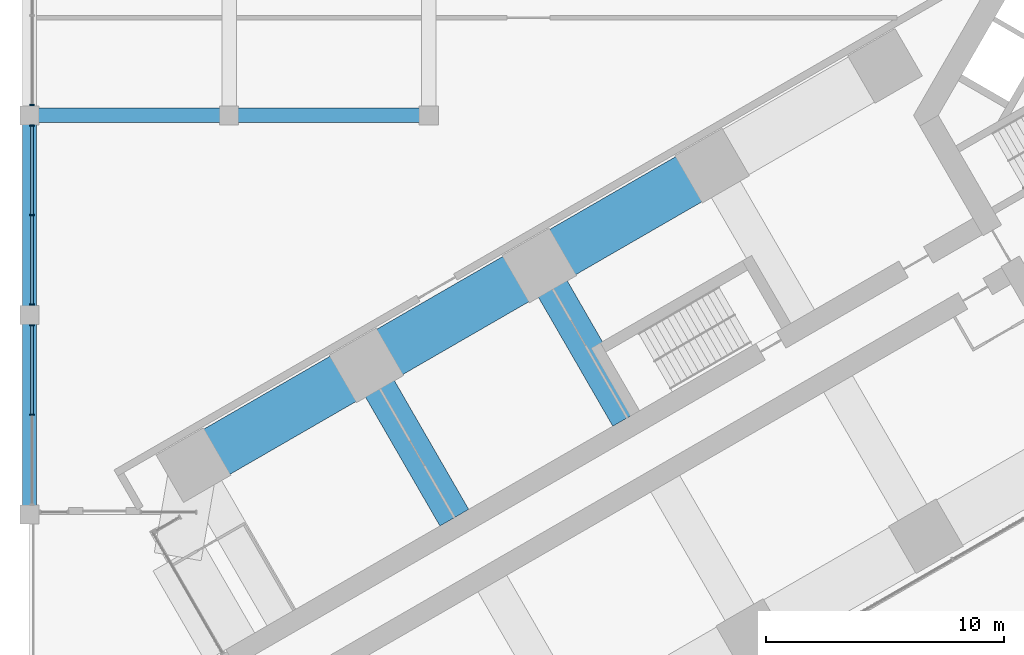
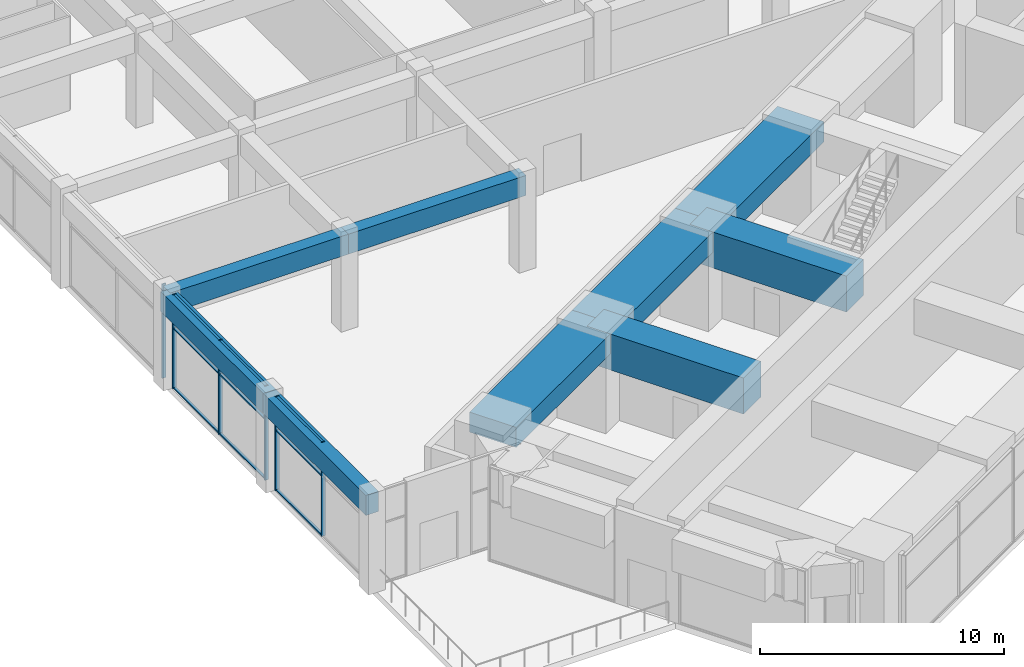
# One storey, part 3 of 34: 15 members, 9 beams, 3 elements without a shape of their own.
"""IFC4 building model written with IfcOpenShell, lengths in metres."""

from ifc_helpers import new_model, si_unit, direction, frame, origin, origin_2d, place, context, subcontext, project, spatial, rectangle, extrude, material, material_profile, profile_set, type_object, element, aggregate, save


model = new_model("IFC4")

# Units and contexts
model_context = context("Model", 3, precision=1e-05, world=origin(), true_north=direction((0.0, 1.0)))
body_context = subcontext(model_context, "Body", "Model", "MODEL_VIEW")
ifc_project = project(units=[si_unit("LENGTHUNIT", "METRE"), si_unit("AREAUNIT", "SQUARE_METRE"), si_unit("VOLUMEUNIT", "CUBIC_METRE"), si_unit("PLANEANGLEUNIT", "RADIAN"), si_unit("MASSUNIT", "GRAM", prefix="KILO")], contexts=[model_context])

# Site, building, storey
site_placement = place(None, origin())
site = spatial("IfcSite", under=ifc_project, at=site_placement, CompositionType="ELEMENT")
building_placement = place(site_placement, origin())
building = spatial("IfcBuilding", under=site, at=building_placement, Name="Impinga Residences", CompositionType="ELEMENT")
storey_placement = place(building_placement, frame((0.0, 0.0, 16.0)))
storey = spatial("IfcBuildingStorey", under=building, at=storey_placement, Name="L03", CompositionType="ELEMENT", Elevation=16.0)

# Beams
ifc_material_1 = material(Name="Concrete C60/75", Category="concrete")
ifc_material_profile_1 = material_profile(ifc_material_1, rectangle(XDim=1.39990234375, YDim=1.800048828125, at=origin_2d()), Name="RC 1400x1800")
ifc_profile_set_1 = profile_set([ifc_material_profile_1], Name="Concrete C60/75")
beam_type_1 = type_object("IfcBeamType", Name="CG4 1400x1800 cross girder on a wing bay line under the podium floors", PredefinedType="BEAM", material=ifc_profile_set_1)
for number, where, z_axis, x_axis, name in (
    (1, (-25.249267578125, -12.730224609375, 3.800048828125), (-0.499988999718, 0.866031754707, 0.0), (-0.866031754707, -0.499988999718, 0.0), "Beam CG4 W3 WC/WF level L04"),
    (2, (-32.52392578125, -16.93017578125, 3.800048828125), (-0.499988999718, 0.866031754707, 0.0), (-0.866031754707, -0.499988999718, 0.0), "Beam CG4 W4 WC/WF level L04"),
):
    element("IfcBeam", number, at=place(storey_placement, frame(where, z_axis=z_axis, x_axis=x_axis)), inside=storey, type_object=beam_type_1, Name=name, PredefinedType="BEAM", context=body_context, shape_type="SweptSolid", body=[
        extrude(rectangle(XDim=1.39990234375, YDim=1.800048828125, at=origin_2d()), origin(), (0.0, 0.0, 1.0), 7.400146484375),
    ])

# Curtain wall, members
ifc_material_2 = material(Name="Aluminium stick curtain wall", Category="aluminium")
curtain_wall_type = type_object("IfcCurtainWallType", Name="CW1 podium amenity curtain wall", PredefinedType="USERDEFINED", material=ifc_material_2)
curtain_wall_1_placement = place(storey_placement, origin())
curtain_wall_1 = element("IfcCurtainWall", 3, at=curtain_wall_1_placement, inside=storey, type_object=curtain_wall_type, Name="Curtain wall CW1 L03", ObjectType="STICK CURTAIN WALL", PredefinedType="USERDEFINED")
ifc_material_3 = material(Name="Aluminium mullion", Category="aluminium")
ifc_material_profile_2 = material_profile(ifc_material_3, rectangle(XDim=0.06005859375, YDim=0.179931640625, at=origin_2d()), Name="60x180 mullion")
ifc_profile_set_2 = profile_set([ifc_material_profile_2], Name="Aluminium mullion")
member_type_1 = type_object("IfcMemberType", Name="CW1-M mullion 60x180", PredefinedType="MULLION", material=ifc_profile_set_2)
member_1_placement = place(storey_placement, frame((-50.300048828125, -12.60009765625, 0.0), z_axis=(0.0, 0.0, 1.0), x_axis=(0.0, 1.0, 0.0)))
member_1 = element("IfcMember", 4, at=member_1_placement, type_object=member_type_1, Name="CW1 mullion 2", PredefinedType="MULLION", context=body_context, shape_type="SweptSolid", body=[
    extrude(rectangle(XDim=0.06005859375, YDim=0.179931640625, at=origin_2d()), origin(), (0.0, 0.0, 1.0), 4.699951171875),
])
member_2_placement = place(storey_placement, frame((-50.300048828125, -8.8330078125, 0.0), z_axis=(0.0, 0.0, 1.0), x_axis=(0.0, 1.0, 0.0)))
member_2 = element("IfcMember", 5, at=member_2_placement, type_object=member_type_1, Name="CW1 mullion 3", PredefinedType="MULLION", context=body_context, shape_type="SweptSolid", body=[
    extrude(rectangle(XDim=0.06005859375, YDim=0.179931640625, at=origin_2d()), origin(), (0.0, 0.0, 1.0), 4.699951171875),
])

curtain_wall_2_placement = place(storey_placement, origin())
curtain_wall_2 = element("IfcCurtainWall", 6, at=curtain_wall_2_placement, inside=storey, type_object=curtain_wall_type, Name="Curtain wall CW1 L03", ObjectType="STICK CURTAIN WALL", PredefinedType="USERDEFINED")
member_3_placement = place(storey_placement, frame((-50.300048828125, -7.967041015625, 0.0), z_axis=(0.0, 0.0, 1.0), x_axis=(0.0, 1.0, 0.0)))
member_3 = element("IfcMember", 7, at=member_3_placement, type_object=member_type_1, Name="CW1 mullion 1", PredefinedType="MULLION", context=body_context, shape_type="SweptSolid", body=[
    extrude(rectangle(XDim=0.06005859375, YDim=0.179931640625, at=origin_2d()), origin(), (0.0, 0.0, 1.0), 4.699951171875),
])
member_4_placement = place(storey_placement, frame((-50.300048828125, -4.199951171875, 0.0), z_axis=(0.0, 0.0, 1.0), x_axis=(0.0, 1.0, 0.0)))
member_4 = element("IfcMember", 8, at=member_4_placement, type_object=member_type_1, Name="CW1 mullion 2", PredefinedType="MULLION", context=body_context, shape_type="SweptSolid", body=[
    extrude(rectangle(XDim=0.06005859375, YDim=0.179931640625, at=origin_2d()), origin(), (0.0, 0.0, 1.0), 4.699951171875),
])
member_5_placement = place(storey_placement, frame((-50.300048828125, -0.43310546875, 0.0), z_axis=(0.0, 0.0, 1.0), x_axis=(0.0, 1.0, 0.0)))
member_5 = element("IfcMember", 9, at=member_5_placement, type_object=member_type_1, Name="CW1 mullion 3", PredefinedType="MULLION", context=body_context, shape_type="SweptSolid", body=[
    extrude(rectangle(XDim=0.06005859375, YDim=0.179931640625, at=origin_2d()), origin(), (0.0, 0.0, 1.0), 4.699951171875),
])

# Curtain wall, member
curtain_wall_3_placement = place(storey_placement, origin())
curtain_wall_3 = element("IfcCurtainWall", 10, at=curtain_wall_3_placement, inside=storey, type_object=curtain_wall_type, Name="Curtain wall CW1 L03", ObjectType="STICK CURTAIN WALL", PredefinedType="USERDEFINED")
member_6_placement = place(storey_placement, frame((-50.300048828125, 0.43310546875, 0.0), z_axis=(0.0, 0.0, 1.0), x_axis=(0.0, 1.0, 0.0)))
member_6 = element("IfcMember", 11, at=member_6_placement, type_object=member_type_1, Name="CW1 mullion 1", PredefinedType="MULLION", context=body_context, shape_type="SweptSolid", body=[
    extrude(rectangle(XDim=0.06005859375, YDim=0.179931640625, at=origin_2d()), origin(), (0.0, 0.0, 1.0), 4.699951171875),
])
aggregate(curtain_wall_3, [member_6])

# Member
ifc_material_4 = material(Name="Aluminium transom", Category="aluminium")
ifc_material_profile_3 = material_profile(ifc_material_4, rectangle(XDim=0.06005859375, YDim=0.1201171875, at=origin_2d()), Name="60x120 transom")
ifc_profile_set_3 = profile_set([ifc_material_profile_3], Name="Aluminium transom")
member_type_2 = type_object("IfcMemberType", Name="CW1-T transom 60x120", PredefinedType="USERDEFINED", material=ifc_profile_set_3)
member_7_placement = place(storey_placement, frame((-50.300048828125, -12.570068359375, 0.030029296875), z_axis=(0.0, 1.0, 0.0), x_axis=(0.0, 0.0, 1.0)))
member_7 = element("IfcMember", 12, at=member_7_placement, type_object=member_type_2, Name="CW1 transom 2.1", ObjectType="TRANSOM", PredefinedType="USERDEFINED", context=body_context, shape_type="SweptSolid", body=[
    extrude(rectangle(XDim=0.06005859375, YDim=0.1201171875, at=origin_2d()), origin(), (0.0, 0.0, 1.0), 3.70703125),
])

member_8_placement = place(storey_placement, frame((-50.300048828125, -12.570068359375, 3.0), z_axis=(0.0, 1.0, 0.0), x_axis=(0.0, 0.0, 1.0)))
member_8 = element("IfcMember", 13, at=member_8_placement, type_object=member_type_2, Name="CW1 transom 2.2", ObjectType="TRANSOM", PredefinedType="USERDEFINED", context=body_context, shape_type="SweptSolid", body=[
    extrude(rectangle(XDim=0.06005859375, YDim=0.1201171875, at=origin_2d()), origin(), (0.0, 0.0, 1.0), 3.70703125),
])

member_9_placement = place(storey_placement, frame((-50.300048828125, -12.570068359375, 4.669921875), z_axis=(0.0, 1.0, 0.0), x_axis=(0.0, 0.0, 1.0)))
member_9 = element("IfcMember", 14, at=member_9_placement, type_object=member_type_2, Name="CW1 transom 2.3", ObjectType="TRANSOM", PredefinedType="USERDEFINED", context=body_context, shape_type="SweptSolid", body=[
    extrude(rectangle(XDim=0.06005859375, YDim=0.1201171875, at=origin_2d()), origin(), (0.0, 0.0, 1.0), 3.70703125),
])

aggregate(curtain_wall_1, [member_1, member_2, member_7, member_8, member_9])

member_10_placement = place(storey_placement, frame((-50.300048828125, -7.93701171875, 0.030029296875), z_axis=(0.0, 1.0, 0.0), x_axis=(0.0, 0.0, 1.0)))
member_10 = element("IfcMember", 15, at=member_10_placement, type_object=member_type_2, Name="CW1 transom 1.1", ObjectType="TRANSOM", PredefinedType="USERDEFINED", context=body_context, shape_type="SweptSolid", body=[
    extrude(rectangle(XDim=0.06005859375, YDim=0.1201171875, at=origin_2d()), origin(), (0.0, 0.0, 1.0), 3.70703125),
])

member_11_placement = place(storey_placement, frame((-50.300048828125, -7.93701171875, 3.0), z_axis=(0.0, 1.0, 0.0), x_axis=(0.0, 0.0, 1.0)))
member_11 = element("IfcMember", 16, at=member_11_placement, type_object=member_type_2, Name="CW1 transom 1.2", ObjectType="TRANSOM", PredefinedType="USERDEFINED", context=body_context, shape_type="SweptSolid", body=[
    extrude(rectangle(XDim=0.06005859375, YDim=0.1201171875, at=origin_2d()), origin(), (0.0, 0.0, 1.0), 3.70703125),
])

member_12_placement = place(storey_placement, frame((-50.300048828125, -7.93701171875, 4.669921875), z_axis=(0.0, 1.0, 0.0), x_axis=(0.0, 0.0, 1.0)))
member_12 = element("IfcMember", 17, at=member_12_placement, type_object=member_type_2, Name="CW1 transom 1.3", ObjectType="TRANSOM", PredefinedType="USERDEFINED", context=body_context, shape_type="SweptSolid", body=[
    extrude(rectangle(XDim=0.06005859375, YDim=0.1201171875, at=origin_2d()), origin(), (0.0, 0.0, 1.0), 3.70703125),
])

member_13_placement = place(storey_placement, frame((-50.300048828125, -4.169921875, 0.030029296875), z_axis=(0.0, 1.0, 0.0), x_axis=(0.0, 0.0, 1.0)))
member_13 = element("IfcMember", 18, at=member_13_placement, type_object=member_type_2, Name="CW1 transom 2.1", ObjectType="TRANSOM", PredefinedType="USERDEFINED", context=body_context, shape_type="SweptSolid", body=[
    extrude(rectangle(XDim=0.06005859375, YDim=0.1201171875, at=origin_2d()), origin(), (0.0, 0.0, 1.0), 3.70703125),
])

member_14_placement = place(storey_placement, frame((-50.300048828125, -4.169921875, 3.0), z_axis=(0.0, 1.0, 0.0), x_axis=(0.0, 0.0, 1.0)))
member_14 = element("IfcMember", 19, at=member_14_placement, type_object=member_type_2, Name="CW1 transom 2.2", ObjectType="TRANSOM", PredefinedType="USERDEFINED", context=body_context, shape_type="SweptSolid", body=[
    extrude(rectangle(XDim=0.06005859375, YDim=0.1201171875, at=origin_2d()), origin(), (0.0, 0.0, 1.0), 3.70703125),
])

member_15_placement = place(storey_placement, frame((-50.300048828125, -4.169921875, 4.669921875), z_axis=(0.0, 1.0, 0.0), x_axis=(0.0, 0.0, 1.0)))
member_15 = element("IfcMember", 20, at=member_15_placement, type_object=member_type_2, Name="CW1 transom 2.3", ObjectType="TRANSOM", PredefinedType="USERDEFINED", context=body_context, shape_type="SweptSolid", body=[
    extrude(rectangle(XDim=0.06005859375, YDim=0.1201171875, at=origin_2d()), origin(), (0.0, 0.0, 1.0), 3.70703125),
])

aggregate(curtain_wall_2, [member_3, member_4, member_5, member_10, member_11, member_12, member_13, member_14, member_15])

# Beams
ifc_material_profile_4 = material_profile(ifc_material_1, rectangle(XDim=0.60009765625, YDim=1.0, at=origin_2d()), Name="RC 600x1000")
ifc_profile_set_4 = profile_set([ifc_material_profile_4], Name="Concrete C60/75")
beam_type_2 = type_object("IfcBeamType", Name="PB2 600x1000 podium beam", PredefinedType="BEAM", material=ifc_profile_set_4)
for number, where, z_axis, x_axis, name in (
    (21, (-50.39990234375, 0.0, 4.199951171875), (1.0, 0.0, 0.0), (0.0, 1.0, 0.0), "Beam PB2 F/1-2 level L04"),
    (22, (-42.0, 0.0, 4.199951171875), (1.0, 0.0, 0.0), (0.0, 1.0, 0.0), "Beam PB2 F/2-3 level L04"),
):
    element("IfcBeam", number, at=place(storey_placement, frame(where, z_axis=z_axis, x_axis=x_axis)), inside=storey, type_object=beam_type_2, Name=name, PredefinedType="BEAM", context=body_context, shape_type="SweptSolid", body=[
        extrude(rectangle(XDim=0.60009765625, YDim=1.0, at=origin_2d()), origin(), (0.0, 0.0, 1.0), 8.39990234375),
    ])
beam_1_placement = place(storey_placement, frame((-50.39990234375, -16.800048828125, 4.199951171875), z_axis=(0.0, 1.0, 0.0), x_axis=(-1.0, 0.0, 0.0)))
element("IfcBeam", 23, at=beam_1_placement, inside=storey, type_object=beam_type_2, Name="Beam PB2 1/D-E level L04", PredefinedType="BEAM", context=body_context, shape_type="SweptSolid", body=[
    extrude(rectangle(XDim=0.60009765625, YDim=1.0, at=origin_2d()), origin(), (0.0, 0.0, 1.0), 8.400146484375),
])
beam_2_placement = place(storey_placement, frame((-50.39990234375, -8.39990234375, 4.199951171875), z_axis=(0.0, 1.0, 0.0), x_axis=(-1.0, 0.0, 0.0)))
element("IfcBeam", 24, at=beam_2_placement, inside=storey, type_object=beam_type_2, Name="Beam PB2 1/E-F level L04", PredefinedType="BEAM", context=body_context, shape_type="SweptSolid", body=[
    extrude(rectangle(XDim=0.60009765625, YDim=1.0, at=origin_2d()), origin(), (0.0, 0.0, 1.0), 8.39990234375),
])
ifc_material_profile_5 = material_profile(ifc_material_1, rectangle(XDim=2.199951171875, YDim=1.0, at=origin_2d()), Name="RC 2200x1000")
ifc_profile_set_5 = profile_set([ifc_material_profile_5], Name="Concrete C60/75")
beam_type_3 = type_object("IfcBeamType", Name="PB3 2200x1000 podium band beam", PredefinedType="BEAM", material=ifc_profile_set_5)
for number, where, z_axis, x_axis, name in (
    (25, (-21.674560546875, -2.12158203125, 4.199951171875), (-0.86602925447, -0.499993330357, 0.0), (0.499993330357, -0.86602925447, 0.0), "Beam PB3 WF W2-W3 level L04"),
    (26, (-28.94921875, -6.321533203125, 4.199951171875), (-0.86602925447, -0.499993330357, 0.0), (0.499993330357, -0.86602925447, 0.0), "Beam PB3 WF W3-W4 level L04"),
    (27, (-36.223876953125, -10.521484375, 4.199951171875), (-0.86602925447, -0.499993330357, 0.0), (0.499993330357, -0.86602925447, 0.0), "Beam PB3 WF W4-W5 level L04"),
):
    element("IfcBeam", number, at=place(storey_placement, frame(where, z_axis=z_axis, x_axis=x_axis)), inside=storey, type_object=beam_type_3, Name=name, PredefinedType="BEAM", context=body_context, shape_type="SweptSolid", body=[
        extrude(rectangle(XDim=2.199951171875, YDim=1.0, at=origin_2d()), origin(), (0.0, 0.0, 1.0), 8.39990234375),
    ])

save(model, "model.ifc")
